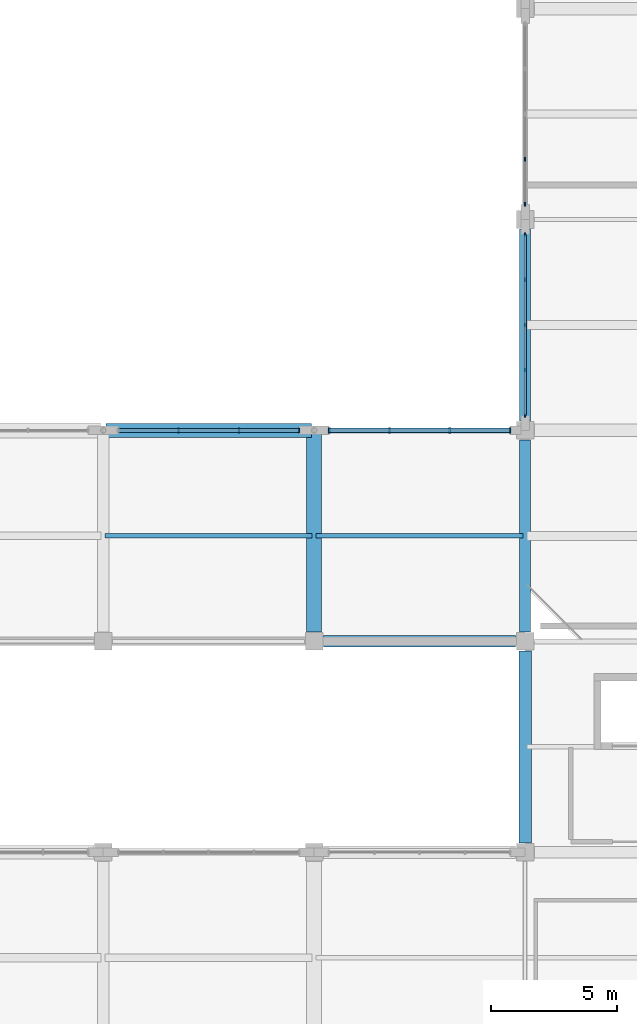
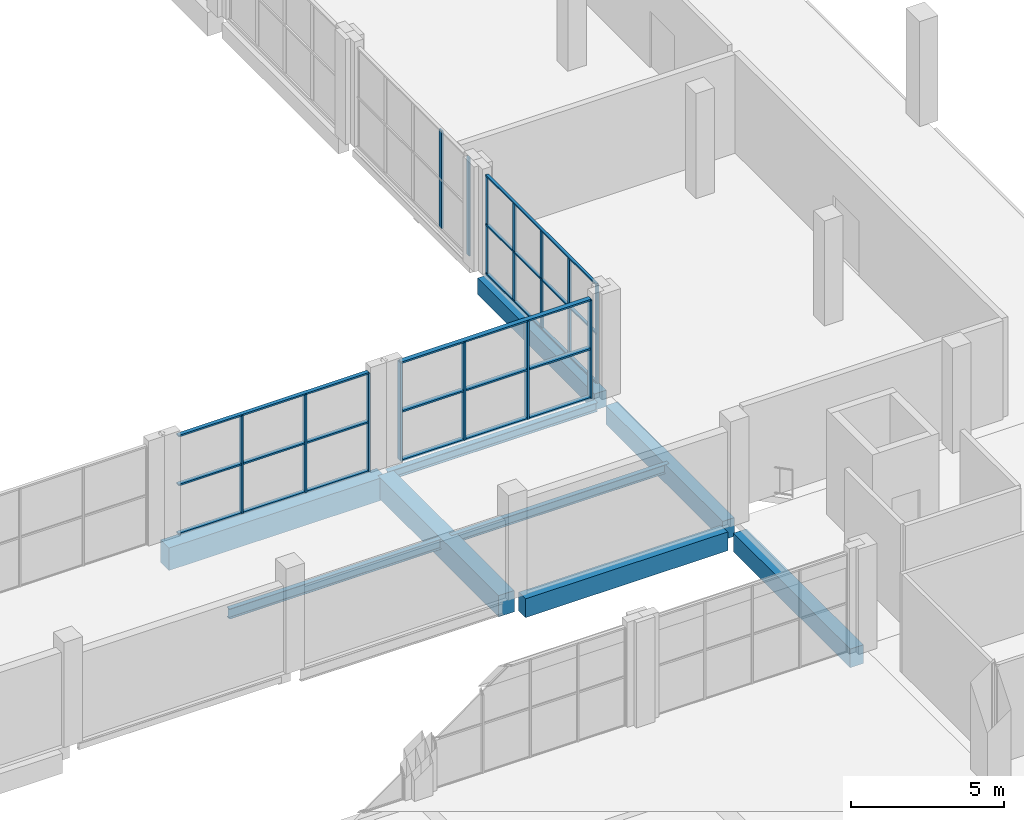
# One storey, part 25 of 59: 23 members, 9 beams, 4 elements without a shape of their own.
"""IFC4 building model written with IfcOpenShell, lengths in metres."""

import ifcopenshell
import ifcopenshell.guid

model = None  # the IFC model being written
_history = None  # IfcOwnerHistory: only IFC2X3 demands one
_inside = {}  # id of a spatial element -> (the spatial element, [elements in it])
_under = {}  # id of a project, library or spatial element -> (it, [spatial elements below it])
_declared = {}  # id of a project -> (the project, [libraries it declares])
_typed = {}  # id of a type object -> (the type object, [elements of that type])
_made_of = {}  # id of a material, layer set ... -> (it, [elements and type objects made of it])


def new_model(schema):
    """Start an empty IFC model of exactly this schema.

    Asked for "IFC4X3", IfcOpenShell would pick the latest addendum, in which some entities
    have other attributes; the version numbers below select the first issue.
    IFC2X3 requires an IfcOwnerHistory on every rooted entity: one is made here for all.
    """
    global model, _history
    if schema == "IFC4X3":
        model = ifcopenshell.file(schema_version=(4, 3, 0, 0))
    else:
        model = ifcopenshell.file(schema=schema)
    _inside.clear()
    _under.clear()
    _declared.clear()
    _typed.clear()
    _made_of.clear()
    _history = None
    if model.schema == "IFC2X3":
        org = make("IfcOrganization", Name="unknown")
        user = make(
            "IfcPersonAndOrganization",
            ThePerson=make("IfcPerson", FamilyName="unknown"),
            TheOrganization=org,
        )
        app = make(
            "IfcApplication",
            ApplicationDeveloper=org,
            Version="unknown",
            ApplicationFullName="unknown",
            ApplicationIdentifier="unknown",
        )
        _history = make(
            "IfcOwnerHistory",
            OwningUser=user,
            OwningApplication=app,
            ChangeAction="ADDED",
            CreationDate=0,
        )
    return model


def make(cls, **values):
    """One entity of the class cls with the attributes given. An attribute that is None is left unset."""
    return model.create_entity(
        cls, **{name: value for name, value in values.items() if value is not None}
    )


def rooted(cls, **values):
    """An entity with a GlobalId (a new one), such as an element, a storey or a relation."""
    return make(cls, GlobalId=ifcopenshell.guid.new(), OwnerHistory=_history, **values)


def si_unit(unit_type, name, prefix=None):
    """IfcSIUnit, for example si_unit("LENGTHUNIT", "METRE", prefix="MILLI")."""
    return make("IfcSIUnit", UnitType=unit_type, Prefix=prefix, Name=name)


def derived_unit(unit_type, elements):
    """IfcDerivedUnit: a product of units, each with its exponent."""
    return make(
        "IfcDerivedUnit",
        Elements=[
            make("IfcDerivedUnitElement", Unit=unit, Exponent=power)
            for unit, power in elements
        ],
        UnitType=unit_type,
    )


def assignment(units):
    """IfcUnitAssignment: the units of a project."""
    return None if units is None else make("IfcUnitAssignment", Units=units)


def point(xyz):
    """IfcCartesianPoint."""
    return None if xyz is None else make("IfcCartesianPoint", Coordinates=xyz)


def direction(xyz):
    """IfcDirection."""
    return None if xyz is None else make("IfcDirection", DirectionRatios=xyz)


def frame(location, z_axis=None, x_axis=None):
    """IfcAxis2Placement3D, a coordinate frame: its origin and axes. An axis left out is left unset."""
    return make(
        "IfcAxis2Placement3D",
        Location=point(location),
        Axis=direction(z_axis),
        RefDirection=direction(x_axis),
    )


def frame_2d(location, x_axis=None):
    """IfcAxis2Placement2D, a coordinate frame in the plane: its origin and x axis."""
    return make(
        "IfcAxis2Placement2D", Location=point(location), RefDirection=direction(x_axis)
    )


def origin():
    """The frame at (0, 0, 0) with its axes left unset."""
    return frame((0.0, 0.0, 0.0))


def origin_2d():
    """The frame at (0, 0) in the plane with its x axis left unset."""
    return frame_2d((0.0, 0.0))


def place(relative_to, where):
    """IfcLocalPlacement: puts the frame where relative to a parent placement (None: the world)."""
    return make(
        "IfcLocalPlacement", PlacementRelTo=relative_to, RelativePlacement=where
    )


def context(
    kind, dimensions, precision=None, world=None, true_north=None, identifier=None
):
    """IfcGeometricRepresentationContext, for example the 3D "Model" context."""
    return make(
        "IfcGeometricRepresentationContext",
        ContextIdentifier=identifier,
        ContextType=kind,
        CoordinateSpaceDimension=dimensions,
        Precision=precision,
        WorldCoordinateSystem=world,
        TrueNorth=true_north,
    )


def subcontext(parent, identifier, kind, view, scale=None):
    """IfcGeometricRepresentationSubContext, for example "Body" below "Model"."""
    return make(
        "IfcGeometricRepresentationSubContext",
        ContextIdentifier=identifier,
        ContextType=kind,
        ParentContext=parent,
        TargetScale=scale,
        TargetView=view,
    )


def project(units=None, contexts=None):
    """IfcProject with its units and contexts."""
    return rooted(
        "IfcProject",
        Name="project",
        RepresentationContexts=contexts,
        UnitsInContext=assignment(units),
    )


def spatial(cls, under=None, at=None, **own):
    """A site, building, storey or space (cls), placed at a placement, below another one or the project."""
    s = rooted(cls, ObjectPlacement=at, **own)
    if under is not None:
        _under.setdefault(under.id(), (under, []))[1].append(s)
    return s


def profile(cls, at=None, kind="AREA", **sizes):
    """A parametric profile (cls). Its sizes go by their IFC names, for example OverallWidth=200.0."""
    return make(cls, ProfileType=kind, Position=at, **sizes)


def rectangle(**sizes):
    """IfcRectangleProfileDef."""
    return profile("IfcRectangleProfileDef", **sizes)


def i_section(**sizes):
    """IfcIShapeProfileDef."""
    return profile("IfcIShapeProfileDef", **sizes)


def extrude(swept, where, along, depth):
    """IfcExtrudedAreaSolid: the profile swept, set in the frame where, extruded along a direction by depth."""
    return make(
        "IfcExtrudedAreaSolid",
        SweptArea=swept,
        Position=where,
        ExtrudedDirection=direction(along),
        Depth=depth,
    )


def shape(context_of_items, identifier, shape_type, items):
    """IfcShapeRepresentation: the items that make up one representation, for example the "Body"."""
    return make(
        "IfcShapeRepresentation",
        ContextOfItems=context_of_items,
        RepresentationIdentifier=identifier,
        RepresentationType=shape_type,
        Items=items,
    )


def material(Name=None, Category=None):
    """IfcMaterial."""
    return make("IfcMaterial", Name=Name, Category=Category)


def material_profile(
    of_material, cross_section, Name=None, Category=None, Priority=None
):
    """IfcMaterialProfile: a cross section and its material."""
    return make(
        "IfcMaterialProfile",
        Name=Name,
        Material=of_material,
        Profile=cross_section,
        Priority=Priority,
        Category=Category,
    )


def profile_set(profiles, Name=None, composite=None):
    """IfcMaterialProfileSet."""
    return make(
        "IfcMaterialProfileSet",
        Name=Name,
        MaterialProfiles=profiles,
        CompositeProfile=composite,
    )


def made_of(thing, what):
    """Note that an element or type object is made of a material, layer set ...; save() writes the relation."""
    if what is not None:
        _made_of.setdefault(what.id(), (what, []))[1].append(thing)
    return thing


def type_object(cls, material=None, **own):
    """A type object (cls), such as IfcWallType, which elements share."""
    return made_of(rooted(cls, **own), material)


def element(
    cls,
    number,
    at=None,
    inside=None,
    cuts=None,
    type_object=None,
    material=None,
    context=None,
    identifier="Body",
    shape_type=None,
    held_by="IfcProductDefinitionShape",
    body=None,
    shapes=None,
    **own,
):
    """One element of the class cls, such as IfcWall. Its Tag is "e" and its number.

    at: its placement. inside: the storey or other place that contains it. cuts: it is an
    opening in that element (IfcRelVoidsElement). A single representation is given by context,
    identifier, shape_type and body (its items); several are given by shapes. held_by: the class
    of the entity that holds the representations. save() writes the other relations.
    """
    e = rooted(cls, Tag="e%d" % number, ObjectPlacement=at, **own)
    if body is not None:
        shapes = [shape(context, identifier, shape_type, body)]
    if shapes is not None:
        e.Representation = make(held_by, Representations=shapes)
    if inside is not None:
        _inside.setdefault(inside.id(), (inside, []))[1].append(e)
    if cuts is not None:
        rooted(
            "IfcRelVoidsElement", RelatingBuildingElement=cuts, RelatedOpeningElement=e
        )
    if type_object is not None:
        _typed.setdefault(type_object.id(), (type_object, []))[1].append(e)
    return made_of(e, material)


def aggregate(whole, parts):
    """IfcRelAggregates: a whole, such as a stair, and the parts it consists of."""
    return rooted("IfcRelAggregates", RelatingObject=whole, RelatedObjects=parts)


def save(model, path):
    """Write the relations noted so far, then the file.

    IfcRelAggregates (storeys below a building ...), IfcRelContainedInSpatialStructure (elements
    in a storey), IfcRelDefinesByType, IfcRelAssociatesMaterial and IfcRelDeclares: one each for
    every whole, place, type object, material and project.
    """
    for whole, parts in _under.values():
        aggregate(whole, parts)
    for where, things in _inside.values():
        rooted(
            "IfcRelContainedInSpatialStructure",
            RelatedElements=things,
            RelatingStructure=where,
        )
    for kind, things in _typed.values():
        rooted("IfcRelDefinesByType", RelatedObjects=things, RelatingType=kind)
    for what, things in _made_of.values():
        rooted("IfcRelAssociatesMaterial", RelatedObjects=things, RelatingMaterial=what)
    for by, libraries in _declared.values():
        rooted("IfcRelDeclares", RelatingContext=by, RelatedDefinitions=libraries)
    model.write(path)


model = new_model("IFC4")

# Units and contexts
model_context = context("Model", 3, precision=1e-05, world=origin(), true_north=direction((0.0, 1.0)))
body_context = subcontext(model_context, "Body", "Model", "MODEL_VIEW")
ifc_project = project(units=[si_unit("LENGTHUNIT", "METRE"), si_unit("AREAUNIT", "SQUARE_METRE"), si_unit("VOLUMEUNIT", "CUBIC_METRE"), si_unit("PLANEANGLEUNIT", "RADIAN"), si_unit("MASSUNIT", "GRAM", prefix="KILO"), derived_unit("THERMALTRANSMITTANCEUNIT", [(si_unit("POWERUNIT", "WATT"), 1), (si_unit("LENGTHUNIT", "METRE"), -2), (si_unit("THERMODYNAMICTEMPERATUREUNIT", "KELVIN"), -1)])], contexts=[model_context])

# Site, building, storey
site_placement = place(None, origin())
site = spatial("IfcSite", under=ifc_project, at=site_placement, CompositionType="ELEMENT")
building_placement = place(site_placement, origin())
building = spatial("IfcBuilding", under=site, at=building_placement, Name="Barrovel Congress Hotel", CompositionType="ELEMENT")
storey_placement = place(building_placement, frame((0.0, 0.0, 9.89990234375)))
storey = spatial("IfcBuildingStorey", under=building, at=storey_placement, Name="L02", CompositionType="ELEMENT", Elevation=9.89990234375)

# Beams
ifc_material_1 = material(Name="Concrete C40", Category="concrete")
ifc_material_profile_1 = material_profile(ifc_material_1, rectangle(XDim=0.449951171875, YDim=0.64990234375, at=origin_2d()), Name="RC450x650")
ifc_profile_set_1 = profile_set([ifc_material_profile_1], Name="Concrete C40")
beam_type_1 = type_object("IfcBeamType", Name="BM-RC450x650", PredefinedType="BEAM", material=ifc_profile_set_1)
beam_1_placement = place(storey_placement, frame((126.0, 46.574951171875, -0.5849609375), z_axis=(0.0, 1.0, 0.0), x_axis=(-1.0, 0.0, 0.0)))
element("IfcBeam", 1, at=beam_1_placement, inside=storey, type_object=beam_type_1, Name="BMY:L02:126.0:46.2-54.6", PredefinedType="BEAM", context=body_context, shape_type="SweptSolid", body=[
    extrude(rectangle(XDim=0.449951171875, YDim=0.64990234375, at=origin_2d()), origin(), (0.0, 0.0, 1.0), 7.650146484375),
])
ifc_material_profile_2 = material_profile(ifc_material_1, rectangle(XDim=0.449951171875, YDim=0.75, at=origin_2d()), Name="RC450x750")
ifc_profile_set_2 = profile_set([ifc_material_profile_2], Name="Concrete C40")
beam_type_2 = type_object("IfcBeamType", Name="BM-RC450x750", PredefinedType="BEAM", material=ifc_profile_set_2)
for number, where, z_axis, x_axis, name in (
    (2, (117.97509765625, 37.800048828125, -0.635009765625), (1.0, 0.0, 0.0), (0.0, 1.0, 0.0), "BMX:L02:37.8:117.6-126.0"),
    (3, (126.0, 38.175048828125, -0.635009765625), (0.0, 1.0, 0.0), (-1.0, 0.0, 0.0), "BMY:L02:126.0:37.8-46.2"),
):
    element("IfcBeam", number, at=place(storey_placement, frame(where, z_axis=z_axis, x_axis=x_axis)), inside=storey, type_object=beam_type_2, Name=name, PredefinedType="BEAM", context=body_context, shape_type="SweptSolid", body=[
        extrude(rectangle(XDim=0.449951171875, YDim=0.75, at=origin_2d()), origin(), (0.0, 0.0, 1.0), 7.64990234375),
    ])
ifc_material_profile_3 = material_profile(ifc_material_1, rectangle(XDim=0.5, YDim=0.75, at=origin_2d()), Name="RC500x750")
ifc_profile_set_3 = profile_set([ifc_material_profile_3], Name="Concrete C40")
beam_type_3 = type_object("IfcBeamType", Name="BM-RC500x750", PredefinedType="BEAM", material=ifc_profile_set_3)
beam_2_placement = place(storey_placement, frame((126.0, 29.77490234375, -0.635009765625), z_axis=(0.0, 1.0, 0.0), x_axis=(-1.0, 0.0, 0.0)))
element("IfcBeam", 4, at=beam_2_placement, inside=storey, type_object=beam_type_3, Name="BMY:L02:126.0:29.4-37.8", PredefinedType="BEAM", context=body_context, shape_type="SweptSolid", body=[
    extrude(rectangle(XDim=0.5, YDim=0.75, at=origin_2d()), origin(), (0.0, 0.0, 1.0), 7.650146484375),
])
ifc_material_profile_4 = material_profile(ifc_material_1, rectangle(XDim=0.550048828125, YDim=0.89990234375, at=origin_2d()), Name="RC550x900")
ifc_profile_set_4 = profile_set([ifc_material_profile_4], Name="Concrete C40")
beam_type_4 = type_object("IfcBeamType", Name="BM-RC550x900", PredefinedType="BEAM", material=ifc_profile_set_4)
beam_3_placement = place(storey_placement, frame((109.3095703125, 46.199951171875, -0.7099609375), z_axis=(1.0, 0.0, 0.0), x_axis=(0.0, 1.0, 0.0)))
element("IfcBeam", 5, at=beam_3_placement, inside=storey, type_object=beam_type_4, Name="BMX:L02:46.2:109.2-117.6", PredefinedType="BEAM", context=body_context, shape_type="SweptSolid", body=[
    extrude(rectangle(XDim=0.550048828125, YDim=0.89990234375, at=origin_2d()), origin(), (0.0, 0.0, 1.0), 8.180908203125),
])
ifc_material_profile_5 = material_profile(ifc_material_1, rectangle(XDim=0.60009765625, YDim=0.85009765625, at=origin_2d()), Name="RC600x850")
ifc_profile_set_5 = profile_set([ifc_material_profile_5], Name="Concrete C40")
beam_type_5 = type_object("IfcBeamType", Name="BM-RC600x850", PredefinedType="BEAM", material=ifc_profile_set_5)
beam_4_placement = place(storey_placement, frame((117.60009765625, 38.175048828125, -0.684814453125), z_axis=(0.0, 1.0, 0.0), x_axis=(-1.0, 0.0, 0.0)))
element("IfcBeam", 6, at=beam_4_placement, inside=storey, type_object=beam_type_5, Name="BMY:L02:117.6:37.8-46.2", PredefinedType="BEAM", context=body_context, shape_type="SweptSolid", body=[
    extrude(rectangle(XDim=0.60009765625, YDim=0.85009765625, at=origin_2d()), origin(), (0.0, 0.0, 1.0), 7.91552734375),
])

# Curtain wall, members
ifc_material_2 = material(Name="Anodised Aluminium Alloy 6063-T6", Category="aluminium")
curtain_wall_type = type_object("IfcCurtainWallType", Name="CW-ST-7200x3600", PredefinedType="USERDEFINED", material=ifc_material_2)
curtain_wall_1_placement = place(storey_placement, origin())
curtain_wall_1 = element("IfcCurtainWall", 7, at=curtain_wall_1_placement, inside=storey, type_object=curtain_wall_type, Name="CW:L02:CE:46.2", ObjectType="STICK CURTAIN WALL", PredefinedType="USERDEFINED")
ifc_material_profile_6 = material_profile(ifc_material_2, rectangle(XDim=0.06005859375, YDim=0.139892578125, at=origin_2d()), Name="AL-M60x140")
ifc_profile_set_6 = profile_set([ifc_material_profile_6], Name="Anodised Aluminium Alloy 6063-T6")
member_type_1 = type_object("IfcMemberType", Name="CWM-AL-M60x140", PredefinedType="MULLION", material=ifc_profile_set_6)
member_1_placement = place(storey_placement, frame((126.0, 54.0, 0.0), z_axis=(0.0, 0.0, 1.0), x_axis=(1.0, 0.0, 0.0)))
member_1 = element("IfcMember", 8, at=member_1_placement, type_object=member_type_1, Name="CW:L02:CE:46.2:M0", PredefinedType="MULLION", context=body_context, shape_type="SweptSolid", body=[
    extrude(rectangle(XDim=0.06005859375, YDim=0.139892578125, at=origin_2d()), origin(), (0.0, 0.0, 1.0), 3.920166015625),
])
member_2_placement = place(storey_placement, frame((126.0, 52.199951171875, 0.0), z_axis=(0.0, 0.0, 1.0), x_axis=(1.0, 0.0, 0.0)))
member_2 = element("IfcMember", 9, at=member_2_placement, type_object=member_type_1, Name="CW:L02:CE:46.2:M1", PredefinedType="MULLION", context=body_context, shape_type="SweptSolid", body=[
    extrude(rectangle(XDim=0.06005859375, YDim=0.139892578125, at=origin_2d()), origin(), (0.0, 0.0, 1.0), 3.920166015625),
])
member_3_placement = place(storey_placement, frame((126.0, 50.39990234375, 0.0), z_axis=(0.0, 0.0, 1.0), x_axis=(1.0, 0.0, 0.0)))
member_3 = element("IfcMember", 10, at=member_3_placement, type_object=member_type_1, Name="CW:L02:CE:46.2:M2", PredefinedType="MULLION", context=body_context, shape_type="SweptSolid", body=[
    extrude(rectangle(XDim=0.06005859375, YDim=0.139892578125, at=origin_2d()), origin(), (0.0, 0.0, 1.0), 3.920166015625),
])
member_4_placement = place(storey_placement, frame((126.0, 48.60009765625, 0.0), z_axis=(0.0, 0.0, 1.0), x_axis=(1.0, 0.0, 0.0)))
member_4 = element("IfcMember", 11, at=member_4_placement, type_object=member_type_1, Name="CW:L02:CE:46.2:M3", PredefinedType="MULLION", context=body_context, shape_type="SweptSolid", body=[
    extrude(rectangle(XDim=0.06005859375, YDim=0.139892578125, at=origin_2d()), origin(), (0.0, 0.0, 1.0), 3.920166015625),
])
member_5_placement = place(storey_placement, frame((126.0, 46.800048828125, 0.0), z_axis=(0.0, 0.0, 1.0), x_axis=(1.0, 0.0, 0.0)))
member_5 = element("IfcMember", 12, at=member_5_placement, type_object=member_type_1, Name="CW:L02:CE:46.2:M4", PredefinedType="MULLION", context=body_context, shape_type="SweptSolid", body=[
    extrude(rectangle(XDim=0.06005859375, YDim=0.139892578125, at=origin_2d()), origin(), (0.0, 0.0, 1.0), 3.920166015625),
])

curtain_wall_2_placement = place(storey_placement, origin())
curtain_wall_2 = element("IfcCurtainWall", 13, at=curtain_wall_2_placement, inside=storey, type_object=curtain_wall_type, Name="CW:L02:CE:54.6", ObjectType="STICK CURTAIN WALL", PredefinedType="USERDEFINED")
ifc_material_profile_7 = material_profile(ifc_material_2, rectangle(XDim=0.06005859375, YDim=0.1650390625, at=origin_2d()), Name="AL-M60x165")
ifc_profile_set_7 = profile_set([ifc_material_profile_7], Name="Anodised Aluminium Alloy 6063-T6")
member_type_2 = type_object("IfcMemberType", Name="CWM-AL-M60x165", PredefinedType="MULLION", material=ifc_profile_set_7)
member_6_placement = place(storey_placement, frame((126.0, 57.0, 0.0), z_axis=(0.0, 0.0, 1.0), x_axis=(1.0, 0.0, 0.0)))
member_6 = element("IfcMember", 14, at=member_6_placement, type_object=member_type_2, Name="CW:L02:CE:54.6:M3", PredefinedType="MULLION", context=body_context, shape_type="SweptSolid", body=[
    extrude(rectangle(XDim=0.06005859375, YDim=0.1650390625, at=origin_2d()), origin(), (0.0, 0.0, 1.0), 3.920166015625),
])
member_7_placement = place(storey_placement, frame((126.0, 55.199951171875, 0.0), z_axis=(0.0, 0.0, 1.0), x_axis=(1.0, 0.0, 0.0)))
member_7 = element("IfcMember", 15, at=member_7_placement, type_object=member_type_2, Name="CW:L02:CE:54.6:M4", PredefinedType="MULLION", context=body_context, shape_type="SweptSolid", body=[
    extrude(rectangle(XDim=0.06005859375, YDim=0.1650390625, at=origin_2d()), origin(), (0.0, 0.0, 1.0), 3.920166015625),
])
aggregate(curtain_wall_2, [member_6, member_7])

curtain_wall_3_placement = place(storey_placement, origin())
curtain_wall_3 = element("IfcCurtainWall", 16, at=curtain_wall_3_placement, inside=storey, type_object=curtain_wall_type, Name="CW:L02:CL:13", ObjectType="STICK CURTAIN WALL", PredefinedType="USERDEFINED")
ifc_material_profile_8 = material_profile(ifc_material_2, rectangle(XDim=0.06494140625, YDim=0.18994140625, at=origin_2d()), Name="AL-M65x190")
ifc_profile_set_8 = profile_set([ifc_material_profile_8], Name="Anodised Aluminium Alloy 6063-T6")
member_type_3 = type_object("IfcMemberType", Name="CWM-AL-M65x190", PredefinedType="MULLION", material=ifc_profile_set_8)
member_8_placement = place(storey_placement, frame((117.0, 46.199951171875, 0.0), z_axis=(0.0, 0.0, 1.0), x_axis=(1.0, 0.0, 0.0)))
member_8 = element("IfcMember", 17, at=member_8_placement, type_object=member_type_3, Name="CW:L02:CL:13:M0", PredefinedType="MULLION", context=body_context, shape_type="SweptSolid", body=[
    extrude(rectangle(XDim=0.06494140625, YDim=0.18994140625, at=origin_2d()), origin(), (0.0, 0.0, 1.0), 3.920166015625),
])
member_9_placement = place(storey_placement, frame((114.60009765625, 46.199951171875, 0.0), z_axis=(0.0, 0.0, 1.0), x_axis=(1.0, 0.0, 0.0)))
member_9 = element("IfcMember", 18, at=member_9_placement, type_object=member_type_3, Name="CW:L02:CL:13:M1", PredefinedType="MULLION", context=body_context, shape_type="SweptSolid", body=[
    extrude(rectangle(XDim=0.06494140625, YDim=0.18994140625, at=origin_2d()), origin(), (0.0, 0.0, 1.0), 3.920166015625),
])
member_10_placement = place(storey_placement, frame((112.199951171875, 46.199951171875, 0.0), z_axis=(0.0, 0.0, 1.0), x_axis=(1.0, 0.0, 0.0)))
member_10 = element("IfcMember", 19, at=member_10_placement, type_object=member_type_3, Name="CW:L02:CL:13:M2", PredefinedType="MULLION", context=body_context, shape_type="SweptSolid", body=[
    extrude(rectangle(XDim=0.06494140625, YDim=0.18994140625, at=origin_2d()), origin(), (0.0, 0.0, 1.0), 3.920166015625),
])

curtain_wall_4_placement = place(storey_placement, origin())
curtain_wall_4 = element("IfcCurtainWall", 20, at=curtain_wall_4_placement, inside=storey, type_object=curtain_wall_type, Name="CW:L02:CL:14", ObjectType="STICK CURTAIN WALL", PredefinedType="USERDEFINED")
ifc_material_profile_9 = material_profile(ifc_material_2, rectangle(XDim=0.06494140625, YDim=0.219970703125, at=origin_2d()), Name="AL-M65x220")
ifc_profile_set_9 = profile_set([ifc_material_profile_9], Name="Anodised Aluminium Alloy 6063-T6")
member_type_4 = type_object("IfcMemberType", Name="CWM-AL-M65x220", PredefinedType="MULLION", material=ifc_profile_set_9)
member_11_placement = place(storey_placement, frame((125.39990234375, 46.199951171875, 0.0), z_axis=(0.0, 0.0, 1.0), x_axis=(1.0, 0.0, 0.0)))
member_11 = element("IfcMember", 21, at=member_11_placement, type_object=member_type_4, Name="CW:L02:CL:14:M0", PredefinedType="MULLION", context=body_context, shape_type="SweptSolid", body=[
    extrude(rectangle(XDim=0.06494140625, YDim=0.219970703125, at=origin_2d()), origin(), (0.0, 0.0, 1.0), 3.920166015625),
])
member_12_placement = place(storey_placement, frame((123.0, 46.199951171875, 0.0), z_axis=(0.0, 0.0, 1.0), x_axis=(1.0, 0.0, 0.0)))
member_12 = element("IfcMember", 22, at=member_12_placement, type_object=member_type_4, Name="CW:L02:CL:14:M1", PredefinedType="MULLION", context=body_context, shape_type="SweptSolid", body=[
    extrude(rectangle(XDim=0.06494140625, YDim=0.219970703125, at=origin_2d()), origin(), (0.0, 0.0, 1.0), 3.920166015625),
])
member_13_placement = place(storey_placement, frame((120.60009765625, 46.199951171875, 0.0), z_axis=(0.0, 0.0, 1.0), x_axis=(1.0, 0.0, 0.0)))
member_13 = element("IfcMember", 23, at=member_13_placement, type_object=member_type_4, Name="CW:L02:CL:14:M2", PredefinedType="MULLION", context=body_context, shape_type="SweptSolid", body=[
    extrude(rectangle(XDim=0.06494140625, YDim=0.219970703125, at=origin_2d()), origin(), (0.0, 0.0, 1.0), 3.920166015625),
])
member_14_placement = place(storey_placement, frame((118.199951171875, 46.199951171875, 0.0), z_axis=(0.0, 0.0, 1.0), x_axis=(1.0, 0.0, 0.0)))
member_14 = element("IfcMember", 24, at=member_14_placement, type_object=member_type_4, Name="CW:L02:CL:14:M3", PredefinedType="MULLION", context=body_context, shape_type="SweptSolid", body=[
    extrude(rectangle(XDim=0.06494140625, YDim=0.219970703125, at=origin_2d()), origin(), (0.0, 0.0, 1.0), 3.920166015625),
])

# Member
ifc_material_profile_10 = material_profile(ifc_material_2, rectangle(XDim=0.10498046875, YDim=0.06005859375, at=origin_2d()), Name="AL-T60x105")
ifc_profile_set_10 = profile_set([ifc_material_profile_10], Name="Anodised Aluminium Alloy 6063-T6")
member_type_5 = type_object("IfcMemberType", Name="CWT-AL-T60x105", PredefinedType="USERDEFINED", material=ifc_profile_set_10)
member_15_placement = place(storey_placement, frame((126.0, 54.0, 0.0), z_axis=(0.0, -1.0, 0.0), x_axis=(1.0, 0.0, 0.0)))
member_15 = element("IfcMember", 25, at=member_15_placement, type_object=member_type_5, Name="CW:L02:CE:46.2:T0", ObjectType="TRANSOM", PredefinedType="USERDEFINED", context=body_context, shape_type="SweptSolid", body=[
    extrude(rectangle(XDim=0.10498046875, YDim=0.06005859375, at=origin_2d()), origin(), (0.0, 0.0, 1.0), 7.199951171875),
])

member_16_placement = place(storey_placement, frame((126.0, 54.0, 1.960205078125), z_axis=(0.0, -1.0, 0.0), x_axis=(1.0, 0.0, 0.0)))
member_16 = element("IfcMember", 26, at=member_16_placement, type_object=member_type_5, Name="CW:L02:CE:46.2:T1", ObjectType="TRANSOM", PredefinedType="USERDEFINED", context=body_context, shape_type="SweptSolid", body=[
    extrude(rectangle(XDim=0.10498046875, YDim=0.06005859375, at=origin_2d()), origin(), (0.0, 0.0, 1.0), 7.199951171875),
])

member_17_placement = place(storey_placement, frame((126.0, 54.0, 3.920166015625), z_axis=(0.0, -1.0, 0.0), x_axis=(1.0, 0.0, 0.0)))
member_17 = element("IfcMember", 27, at=member_17_placement, type_object=member_type_5, Name="CW:L02:CE:46.2:T2", ObjectType="TRANSOM", PredefinedType="USERDEFINED", context=body_context, shape_type="SweptSolid", body=[
    extrude(rectangle(XDim=0.10498046875, YDim=0.06005859375, at=origin_2d()), origin(), (0.0, 0.0, 1.0), 7.199951171875),
])

aggregate(curtain_wall_1, [member_1, member_2, member_3, member_4, member_5, member_15, member_16, member_17])

ifc_material_profile_11 = material_profile(ifc_material_2, rectangle(XDim=0.14990234375, YDim=0.06494140625, at=origin_2d()), Name="AL-T65x150")
ifc_profile_set_11 = profile_set([ifc_material_profile_11], Name="Anodised Aluminium Alloy 6063-T6")
member_type_6 = type_object("IfcMemberType", Name="CWT-AL-T65x150", PredefinedType="USERDEFINED", material=ifc_profile_set_11)
member_18_placement = place(storey_placement, frame((117.0, 46.199951171875, 0.0), z_axis=(-1.0, 0.0, 0.0), x_axis=(0.0, -1.0, 0.0)))
member_18 = element("IfcMember", 28, at=member_18_placement, type_object=member_type_6, Name="CW:L02:CL:13:T0", ObjectType="TRANSOM", PredefinedType="USERDEFINED", context=body_context, shape_type="SweptSolid", body=[
    extrude(rectangle(XDim=0.14990234375, YDim=0.06494140625, at=origin_2d()), origin(), (0.0, 0.0, 1.0), 7.199951171875),
])

member_19_placement = place(storey_placement, frame((117.0, 46.199951171875, 1.960205078125), z_axis=(-1.0, 0.0, 0.0), x_axis=(0.0, -1.0, 0.0)))
member_19 = element("IfcMember", 29, at=member_19_placement, type_object=member_type_6, Name="CW:L02:CL:13:T1", ObjectType="TRANSOM", PredefinedType="USERDEFINED", context=body_context, shape_type="SweptSolid", body=[
    extrude(rectangle(XDim=0.14990234375, YDim=0.06494140625, at=origin_2d()), origin(), (0.0, 0.0, 1.0), 7.199951171875),
])

member_20_placement = place(storey_placement, frame((117.0, 46.199951171875, 3.920166015625), z_axis=(-1.0, 0.0, 0.0), x_axis=(0.0, -1.0, 0.0)))
member_20 = element("IfcMember", 30, at=member_20_placement, type_object=member_type_6, Name="CW:L02:CL:13:T2", ObjectType="TRANSOM", PredefinedType="USERDEFINED", context=body_context, shape_type="SweptSolid", body=[
    extrude(rectangle(XDim=0.14990234375, YDim=0.06494140625, at=origin_2d()), origin(), (0.0, 0.0, 1.0), 7.199951171875),
])

aggregate(curtain_wall_3, [member_8, member_9, member_10, member_18, member_19, member_20])

ifc_material_profile_12 = material_profile(ifc_material_2, rectangle(XDim=0.179931640625, YDim=0.06494140625, at=origin_2d()), Name="AL-T65x180")
ifc_profile_set_12 = profile_set([ifc_material_profile_12], Name="Anodised Aluminium Alloy 6063-T6")
member_type_7 = type_object("IfcMemberType", Name="CWT-AL-T65x180", PredefinedType="USERDEFINED", material=ifc_profile_set_12)
member_21_placement = place(storey_placement, frame((125.39990234375, 46.199951171875, 0.0), z_axis=(-1.0, 0.0, 0.0), x_axis=(0.0, -1.0, 0.0)))
member_21 = element("IfcMember", 31, at=member_21_placement, type_object=member_type_7, Name="CW:L02:CL:14:T0", ObjectType="TRANSOM", PredefinedType="USERDEFINED", context=body_context, shape_type="SweptSolid", body=[
    extrude(rectangle(XDim=0.179931640625, YDim=0.06494140625, at=origin_2d()), origin(), (0.0, 0.0, 1.0), 7.199951171875),
])

member_22_placement = place(storey_placement, frame((125.39990234375, 46.199951171875, 1.960205078125), z_axis=(-1.0, 0.0, 0.0), x_axis=(0.0, -1.0, 0.0)))
member_22 = element("IfcMember", 32, at=member_22_placement, type_object=member_type_7, Name="CW:L02:CL:14:T1", ObjectType="TRANSOM", PredefinedType="USERDEFINED", context=body_context, shape_type="SweptSolid", body=[
    extrude(rectangle(XDim=0.179931640625, YDim=0.06494140625, at=origin_2d()), origin(), (0.0, 0.0, 1.0), 7.199951171875),
])

member_23_placement = place(storey_placement, frame((125.39990234375, 46.199951171875, 3.920166015625), z_axis=(-1.0, 0.0, 0.0), x_axis=(0.0, -1.0, 0.0)))
member_23 = element("IfcMember", 33, at=member_23_placement, type_object=member_type_7, Name="CW:L02:CL:14:T2", ObjectType="TRANSOM", PredefinedType="USERDEFINED", context=body_context, shape_type="SweptSolid", body=[
    extrude(rectangle(XDim=0.179931640625, YDim=0.06494140625, at=origin_2d()), origin(), (0.0, 0.0, 1.0), 7.199951171875),
])

aggregate(curtain_wall_4, [member_11, member_12, member_13, member_14, member_21, member_22, member_23])

# Beams
ifc_material_3 = material(Name="Steel ASTM A992 Grade 50", Category="steel")
ifc_material_profile_13 = material_profile(ifc_material_3, i_section(OverallWidth=0.1708984375, OverallDepth=0.35205078125, WebThickness=0.0068359375, FlangeThickness=0.009765625, FilletRadius=0.011962890625, at=origin_2d()), Name="W360x44")
ifc_profile_set_13 = profile_set([ifc_material_profile_13], Name="Steel ASTM A992 Grade 50")
beam_type_6 = type_object("IfcBeamType", Name="SBM-W360x44", PredefinedType="JOIST", material=ifc_profile_set_13)
beam_5_placement = place(storey_placement, frame((117.679931640625, 42.0, -0.435791015625), z_axis=(1.0, 0.0, 0.0), x_axis=(0.0, 1.0, 0.0)))
element("IfcBeam", 34, at=beam_5_placement, inside=storey, type_object=beam_type_6, Name="JST:L02:117.6:42.0", PredefinedType="JOIST", context=body_context, shape_type="SweptSolid", body=[
    extrude(i_section(OverallWidth=0.1708984375, OverallDepth=0.35205078125, WebThickness=0.0068359375, FlangeThickness=0.009765625, FilletRadius=0.011962890625, at=origin_2d()), origin(), (0.0, 0.0, 1.0), 8.239990234375),
])
ifc_material_profile_14 = material_profile(ifc_material_3, i_section(OverallWidth=0.205078125, OverallDepth=0.35400390625, WebThickness=0.009521484375, FlangeThickness=0.016845703125, FilletRadius=0.012939453125, at=origin_2d()), Name="W360x79")
ifc_profile_set_14 = profile_set([ifc_material_profile_14], Name="Steel ASTM A992 Grade 50")
beam_type_7 = type_object("IfcBeamType", Name="SBM-W360x79", PredefinedType="BEAM", material=ifc_profile_set_14)
beam_6_placement = place(storey_placement, frame((117.70947265625, 46.199951171875, -0.43701171875), z_axis=(1.0, 0.0, 0.0), x_axis=(0.0, 1.0, 0.0)))
element("IfcBeam", 35, at=beam_6_placement, inside=storey, type_object=beam_type_7, Name="BMX:L02:46.2:117.6-126.0", PredefinedType="BEAM", context=body_context, shape_type="SweptSolid", body=[
    extrude(i_section(OverallWidth=0.205078125, OverallDepth=0.35400390625, WebThickness=0.009521484375, FlangeThickness=0.016845703125, FilletRadius=0.012939453125, at=origin_2d()), origin(), (0.0, 0.0, 1.0), 7.91552734375),
])
ifc_material_profile_15 = material_profile(ifc_material_3, i_section(OverallWidth=0.177001953125, OverallDepth=0.403076171875, WebThickness=0.007568359375, FlangeThickness=0.010986328125, FilletRadius=0.011962890625, at=origin_2d()), Name="W410x53")
ifc_profile_set_15 = profile_set([ifc_material_profile_15], Name="Steel ASTM A992 Grade 50")
beam_type_8 = type_object("IfcBeamType", Name="SBM-W410x53", PredefinedType="JOIST", material=ifc_profile_set_15)
beam_7_placement = place(storey_placement, frame((109.280029296875, 42.0, -0.46142578125), z_axis=(1.0, 0.0, 0.0), x_axis=(0.0, 1.0, 0.0)))
element("IfcBeam", 36, at=beam_7_placement, inside=storey, type_object=beam_type_8, Name="JST:L02:109.2:42.0", PredefinedType="JOIST", context=body_context, shape_type="SweptSolid", body=[
    extrude(i_section(OverallWidth=0.177001953125, OverallDepth=0.403076171875, WebThickness=0.007568359375, FlangeThickness=0.010986328125, FilletRadius=0.011962890625, at=origin_2d()), origin(), (0.0, 0.0, 1.0), 8.239990234375),
])

save(model, "model.ifc")
